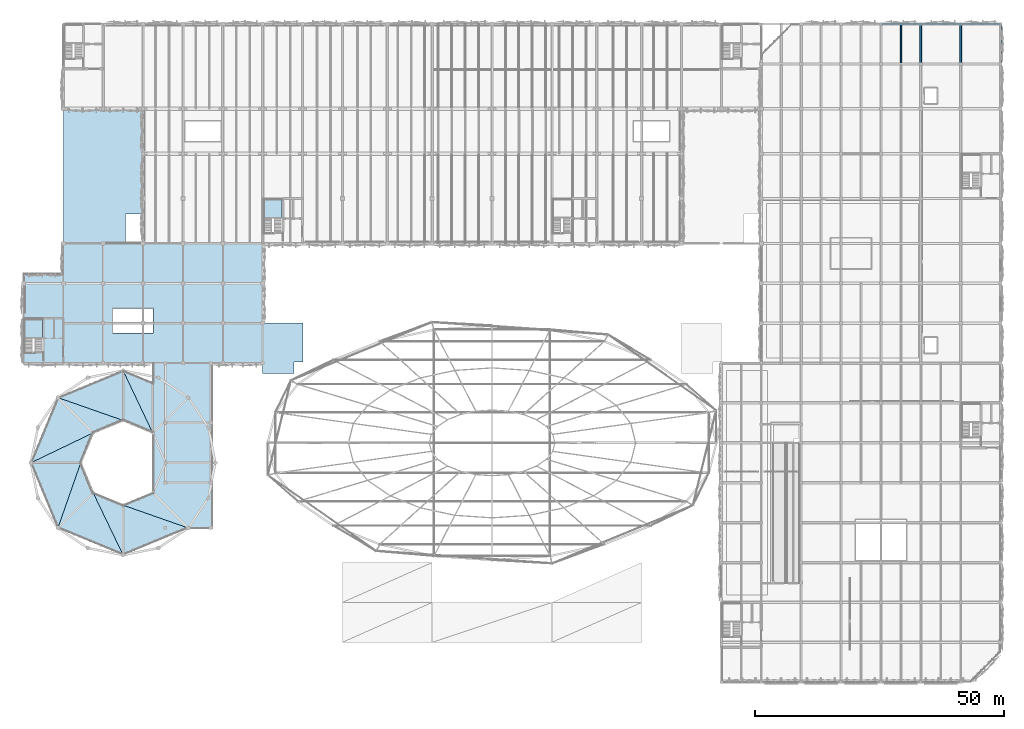
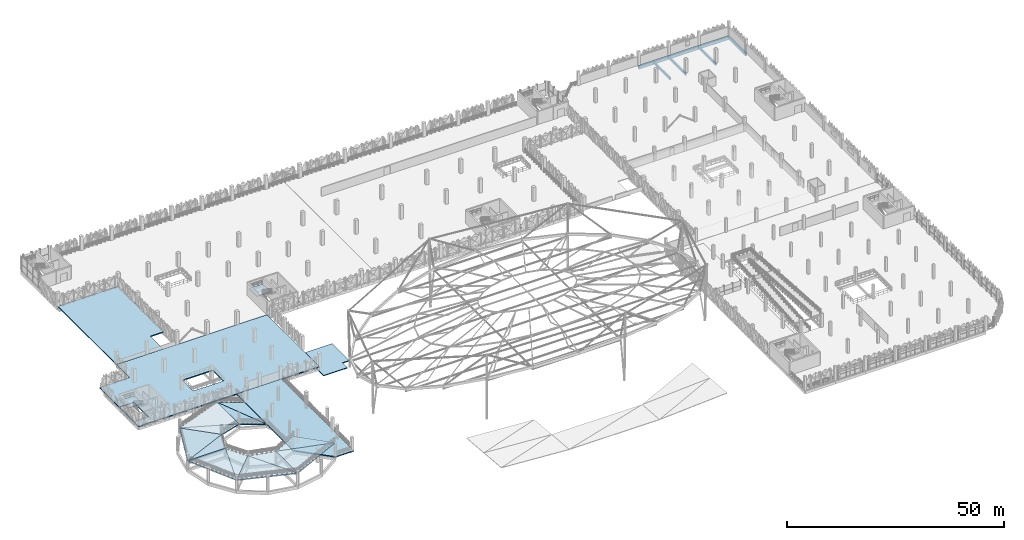
# One storey, part 36 of 96: 18 slabs, 7 beams, 2 elements without a shape of their own.
"""IFC4 building model written with IfcOpenShell, lengths in metres."""

from ifc_helpers import new_model, si_unit, derived_unit, direction, frame, origin, origin_2d, place, context, subcontext, project, spatial, polyline, rectangle, outline, extrude, material, layer, layer_set, material_profile, profile_set, type_object, element, aggregate, save


model = new_model("IFC4")

# Units and contexts
model_context = context("Model", 3, precision=1e-05, world=origin(), true_north=direction((0.0, 1.0)))
body_context = subcontext(model_context, "Body", "Model", "MODEL_VIEW")
ifc_project = project(units=[si_unit("LENGTHUNIT", "METRE"), si_unit("AREAUNIT", "SQUARE_METRE"), si_unit("VOLUMEUNIT", "CUBIC_METRE"), si_unit("PLANEANGLEUNIT", "RADIAN"), si_unit("MASSUNIT", "GRAM", prefix="KILO"), si_unit("THERMODYNAMICTEMPERATUREUNIT", "KELVIN"), derived_unit("THERMALTRANSMITTANCEUNIT", [(si_unit("POWERUNIT", "WATT"), 1), (si_unit("AREAUNIT", "SQUARE_METRE"), -1), (si_unit("THERMODYNAMICTEMPERATUREUNIT", "KELVIN"), -1)])], contexts=[model_context])

# Site, building, storey
site_placement = place(None, origin())
site = spatial("IfcSite", under=ifc_project, at=site_placement, CompositionType="ELEMENT")
building_placement = place(site_placement, origin())
building = spatial("IfcBuilding", under=site, at=building_placement, Name="Haiyu Intermodal Mobility Hub", CompositionType="ELEMENT")
storey_placement = place(building_placement, frame((0.0, 0.0, 9.5)))
storey = spatial("IfcBuildingStorey", under=building, at=storey_placement, Name="L02", CompositionType="ELEMENT", Elevation=9.5)

# Beams
ifc_material = material(Name="Concrete C40", Category="concrete")
ifc_material_profile_1 = material_profile(ifc_material, rectangle(XDim=0.449951171875, YDim=0.85009765625, at=origin_2d()), Name="RCB450x850")
ifc_profile_set_1 = profile_set([ifc_material_profile_1], Name="Concrete C40")
beam_type_1 = type_object("IfcBeamType", Name="BM-CB02-EXT", PredefinedType="BEAM", material=ifc_profile_set_1)
for number, where, z_axis, x_axis, name in (
    (1, (186.0, 148.0, -0.68505859375), (1.0, 0.0, 0.0), (0.0, 1.0, 0.0), "BM-V6G-L02-052"),
    (2, (194.0, 148.0, -0.68505859375), (1.0, 0.0, 0.0), (0.0, 1.0, 0.0), "BM-V6G-L02-053"),
    (3, (202.0, 148.0, -0.68505859375), (1.0, 0.0, 0.0), (0.0, 1.0, 0.0), "BM-V6G-L02-054"),
):
    element("IfcBeam", number, at=place(storey_placement, frame(where, z_axis=z_axis, x_axis=x_axis)), inside=storey, type_object=beam_type_1, Name=name, PredefinedType="BEAM", context=body_context, shape_type="SweptSolid", body=[
        extrude(rectangle(XDim=0.449951171875, YDim=0.85009765625, at=origin_2d()), origin(), (0.0, 0.0, 1.0), 8.0),
    ])
ifc_material_profile_2 = material_profile(ifc_material, rectangle(XDim=0.39990234375, YDim=0.800048828125, at=origin_2d()), Name="RCB400x800")
ifc_profile_set_2 = profile_set([ifc_material_profile_2], Name="Concrete C40")
beam_type_2 = type_object("IfcBeamType", Name="BM-CB05", PredefinedType="BEAM", material=ifc_profile_set_2)
beam_1_placement = place(storey_placement, frame((210.0, 140.0, -0.659912109375), z_axis=(0.0, 1.0, 0.0), x_axis=(-1.0, 0.0, 0.0)))
element("IfcBeam", 4, at=beam_1_placement, inside=storey, type_object=beam_type_2, Name="BM-V6T-L02-056", PredefinedType="BEAM", context=body_context, shape_type="SweptSolid", body=[
    extrude(rectangle(XDim=0.39990234375, YDim=0.800048828125, at=origin_2d()), origin(), (0.0, 0.0, 1.0), 8.0),
])
ifc_material_profile_3 = material_profile(ifc_material, rectangle(XDim=0.360107421875, YDim=0.6201171875, at=origin_2d()), Name="B360x620")
ifc_profile_set_3 = profile_set([ifc_material_profile_3], Name="Concrete C40")
beam_type_3 = type_object("IfcBeamType", Name="BM-CB16", PredefinedType="BEAM", material=ifc_profile_set_3)
for number, where, z_axis, x_axis, name in (
    (5, (194.0, 140.0, -0.570068359375), (0.0, 1.0, 0.0), (-1.0, 0.0, 0.0), "BM-V6T-L02-040"),
    (6, (202.0, 140.0, -0.570068359375), (0.0, 1.0, 0.0), (-1.0, 0.0, 0.0), "BM-V6T-L02-048"),
):
    element("IfcBeam", number, at=place(storey_placement, frame(where, z_axis=z_axis, x_axis=x_axis)), inside=storey, type_object=beam_type_3, Name=name, PredefinedType="BEAM", context=body_context, shape_type="SweptSolid", body=[
        extrude(rectangle(XDim=0.360107421875, YDim=0.6201171875, at=origin_2d()), origin(), (0.0, 0.0, 1.0), 8.0),
    ])
ifc_material_profile_4 = material_profile(ifc_material, rectangle(XDim=0.320068359375, YDim=0.580078125, at=origin_2d()), Name="B320x580")
ifc_profile_set_4 = profile_set([ifc_material_profile_4], Name="Concrete C40")
beam_type_4 = type_object("IfcBeamType", Name="BM-CB17", PredefinedType="JOIST", material=ifc_profile_set_4)
beam_2_placement = place(storey_placement, frame((190.0, 140.195068359375, -0.550048828125), z_axis=(0.0, 1.0, 0.0), x_axis=(-1.0, 0.0, 0.0)))
element("IfcBeam", 7, at=beam_2_placement, inside=storey, type_object=beam_type_4, Name="BM-V6J-L02-030", PredefinedType="JOIST", context=body_context, shape_type="SweptSolid", body=[
    extrude(rectangle(XDim=0.320068359375, YDim=0.580078125, at=origin_2d()), origin(), (0.0, 0.0, 1.0), 7.804931640625),
])

# Slabs
ifc_layer_1 = layer(ifc_material, 0.219970703125)
ifc_layer_set_1 = layer_set([ifc_layer_1], Name="Concrete C40")
slab_type_1 = type_object("IfcSlabType", Name="SLB-SL04", PredefinedType="FLOOR", material=ifc_layer_set_1)
slab_1_placement = place(storey_placement, frame((0.0, 0.0, -0.264892578125)))
element("IfcSlab", 8, at=slab_1_placement, inside=storey, type_object=slab_type_1, Name="L02 West Mobility Connector Deck", PredefinedType="FLOOR", context=body_context, shape_type="SweptSolid", body=[
    extrude(outline(polyline([(14.0, 80.0), (61.9599609375, 80.0), (61.9599609375, 103.97998046875), (22.0, 103.97998046875), (22.0, 98.0), (14.0, 98.0), (14.0, 80.0)]), holes=[polyline([(14.219970703125, 82.14990234375), (17.85009765625, 82.14990234375), (17.85009765625, 88.949951171875), (14.219970703125, 88.949951171875), (14.219970703125, 82.14990234375)]), polyline([(32.0, 86.0), (40.0, 86.0), (40.0, 91.0), (32.0, 91.0), (32.0, 86.0)])]), origin(), (0.0, 0.0, 1.0), 0.264892578125),
])
ifc_layer_2 = layer(ifc_material, 0.179931640625)
ifc_layer_set_2 = layer_set([ifc_layer_2], Name="Concrete C40")
slab_type_2 = type_object("IfcSlabType", Name="SLB-SL12", PredefinedType="ROOF", material=ifc_layer_set_2)
slab_2_placement = place(storey_placement, frame((0.0, 0.0, -0.2548828125)))
element("IfcSlab", 9, at=slab_2_placement, inside=storey, type_object=slab_type_2, Name="SLB-L02-V4SW-RF", PredefinedType="ROOF", context=body_context, shape_type="SweptSolid", body=[
    extrude(outline(polyline([(22.0, 104.0), (34.448974609375, 104.0), (34.448974609375, 109.930908203125), (37.9599609375, 109.930908203125), (37.9599609375, 130.9599609375), (22.0, 130.9599609375), (22.0, 104.0)])), origin(), (0.0, 0.0, 1.0), 0.2548828125),
])
slab_3_placement = place(storey_placement, frame((0.0, 0.0, -1.5)))
element("IfcSlab", 10, at=slab_3_placement, inside=storey, type_object=slab_type_2, Name="Core C1 Skylight Headhouse Cap", PredefinedType="ROOF", context=body_context, shape_type="SweptSolid", body=[
    extrude(outline(polyline([(61.949951171875, 77.949951171875), (68.26806640625, 77.949951171875), (68.26806640625, 80.172119140625), (70.050048828125, 80.172119140625), (70.050048828125, 88.050048828125), (61.949951171875, 88.050048828125), (61.949951171875, 77.949951171875)])), origin(), (0.0, 0.0, 1.0), 0.219970703125),
])

# Stair, slab
stair_type_1 = type_object("IfcStairType", Name="STR-ST02", PredefinedType="HALF_TURN_STAIR", material=ifc_material)
stair_1_placement = place(storey_placement, origin())
stair_1 = element("IfcStair", 11, at=stair_1_placement, inside=storey, type_object=stair_type_1, Name="Exit Stair ST01 L02", PredefinedType="HALF_TURN_STAIR")
ifc_layer_3 = layer(ifc_material, 0.2099609375)
ifc_layer_set_3 = layer_set([ifc_layer_3], Name="Concrete C40")
slab_type_3 = type_object("IfcSlabType", Name="SLB-SL13", PredefinedType="LANDING", material=ifc_layer_set_3)
slab_4_placement = place(storey_placement, frame((0.0, 0.0, 1.739990234375)))
slab_4 = element("IfcSlab", 12, at=slab_4_placement, type_object=slab_type_3, Name="Stair Half-Landing STR-C5-L02-LND", PredefinedType="LANDING", context=body_context, shape_type="SweptSolid", body=[
    extrude(outline(polyline([(62.219970703125, 109.1298828125), (65.8701171875, 109.1298828125), (65.8701171875, 112.780029296875), (62.219970703125, 112.780029296875), (62.219970703125, 109.1298828125)])), origin(), (0.0, 0.0, 1.0), 0.2099609375),
])
aggregate(stair_1, [slab_4])

stair_type_2 = type_object("IfcStairType", Name="STR-ST03", PredefinedType="HALF_TURN_STAIR", material=ifc_material)
stair_2_placement = place(storey_placement, origin())
stair_2 = element("IfcStair", 13, at=stair_2_placement, inside=storey, type_object=stair_type_2, Name="Exit Stair ST02 L02", PredefinedType="HALF_TURN_STAIR")
slab_5_placement = place(storey_placement, frame((0.0, 0.0, 1.739990234375)))
slab_5 = element("IfcSlab", 14, at=slab_5_placement, type_object=slab_type_3, Name="Stair Half-Landing STR-C7-L02-LND", PredefinedType="LANDING", context=body_context, shape_type="SweptSolid", body=[
    extrude(outline(polyline([(14.219970703125, 85.1298828125), (17.8701171875, 85.1298828125), (17.8701171875, 88.780029296875), (14.219970703125, 88.780029296875), (14.219970703125, 85.1298828125)])), origin(), (0.0, 0.0, 1.0), 0.2099609375),
])
aggregate(stair_2, [slab_5])

# Slabs
ifc_layer_4 = layer(ifc_material, 0.27001953125)
ifc_layer_set_4 = layer_set([ifc_layer_4], Name="Concrete C40")
slab_type_4 = type_object("IfcSlabType", Name="SLB-SL14", PredefinedType="USERDEFINED", material=ifc_layer_set_4)
slab_6_placement = place(storey_placement, frame((0.0, 0.0, -0.27001953125)))
element("IfcSlab", 15, at=slab_6_placement, inside=storey, type_object=slab_type_4, Name="L02 Helical Ramp Arrival Deck", ObjectType="RAMP DECK", PredefinedType="USERDEFINED", context=body_context, shape_type="SweptSolid", body=[
    extrude(outline(polyline([(39.949951171875, 53.85009765625), (47.14990234375, 46.800048828125), (52.0, 46.800048828125), (52.0, 80.0), (40.0, 80.0), (39.949951171875, 53.85009765625)])), origin(), (0.0, 0.0, 1.0), 0.27001953125),
])
ifc_layer_5 = layer(ifc_material, 0.280029296875)
ifc_layer_set_5 = layer_set([ifc_layer_5], Name="Concrete C40")
slab_type_5 = type_object("IfcSlabType", Name="SLB-SL16", PredefinedType="USERDEFINED", material=ifc_layer_set_5)
slab_7_placement = place(storey_placement, frame((39.89990234375, 66.055908203125, 0.0), z_axis=(0.109492471153, 0.0, 0.993987625054), x_axis=(0.0, 1.0, 0.0)))
element("IfcSlab", 16, at=slab_7_placement, inside=storey, type_object=slab_type_5, Name="Structural Vehicle Ramp Slab L02-01-1", ObjectType="RAMP DECK", PredefinedType="USERDEFINED", context=body_context, shape_type="SweptSolid", body=[
    extrude(outline(polyline([(0.0, 0.0), (10.0, 0.0), (12.444091796875, 5.935589332340849), (0.0, 0.0)])), origin(), (0.0, 0.0, -1.0), 0.280029296875),
])
slab_8_placement = place(storey_placement, frame((39.89990234375, 66.055908203125, 0.0), z_axis=(0.109492471153, 0.0, 0.993987625054), x_axis=(-0.427926345205, 0.902583536434, 0.04713812509)))
element("IfcSlab", 17, at=slab_8_placement, inside=storey, type_object=slab_type_5, Name="Structural Vehicle Ramp Slab L02-01-2", ObjectType="RAMP DECK", PredefinedType="USERDEFINED", context=body_context, shape_type="SweptSolid", body=[
    extrude(outline(polyline([(0.0, 0.0), (13.7871912067415, -2.636779683484747e-16), (4.761355842399681, 4.30514761370578), (0.0, 0.0)])), origin(), (0.0, 0.0, -1.0), 0.280029296875),
])
slab_9_placement = place(storey_placement, frame((34.0, 68.5, 0.64990234375), z_axis=(0.049640107755, 0.0, 0.998767169916), x_axis=(0.0, 1.0, 0.0)))
element("IfcSlab", 18, at=slab_9_placement, inside=storey, type_object=slab_type_5, Name="Structural Vehicle Ramp Slab L02-02-1", ObjectType="RAMP DECK", PredefinedType="USERDEFINED", context=body_context, shape_type="SweptSolid", body=[
    extrude(outline(polyline([(0.0, 0.0), (10.0, 0.0), (4.5810546875, 13.097201311292077), (0.0, 0.0)])), origin(), (0.0, 0.0, -1.0), 0.280029296875),
])
slab_10_placement = place(storey_placement, frame((34.0, 68.5, 0.64990234375), z_axis=(0.076044227368, 0.076044227368, 0.994200458141), x_axis=(-0.942761284695, 0.330159998993, 0.046856537909)))
element("IfcSlab", 19, at=slab_10_placement, inside=storey, type_object=slab_type_5, Name="Structural Vehicle Ramp Slab L02-02-2", ObjectType="RAMP DECK", PredefinedType="USERDEFINED", context=body_context, shape_type="SweptSolid", body=[
    extrude(outline(polyline([(0.0, 0.0), (13.875256546758933, -1.249000902703301e-16), (4.874372967790654, 4.356999813198027), (0.0, 0.0)])), origin(), (0.0, 0.0, -1.0), 0.280029296875),
])
slab_11_placement = place(storey_placement, frame((27.989990234375, 66.010009765625, 1.300048828125), z_axis=(0.035086582514, 0.035086582514, 0.998768173029), x_axis=(-0.707106781187, 0.707106781187, 0.0)))
element("IfcSlab", 20, at=slab_11_placement, inside=storey, type_object=slab_type_5, Name="Structural Vehicle Ramp Slab L02-03-1", ObjectType="RAMP DECK", PredefinedType="USERDEFINED", context=body_context, shape_type="SweptSolid", body=[
    extrude(outline(polyline([(0.0, 0.0), (9.999967628665027, 0.0), (4.582038131409509, 13.097609440520504), (0.0, 0.0)])), origin(), (0.0, 0.0, -1.0), 0.280029296875),
])
slab_12_placement = place(storey_placement, frame((27.989990234375, 66.010009765625, 1.300048828125), z_axis=(0.0, 0.107509895057, 0.994204014508), x_axis=(-0.900116775893, -0.433123686392, 0.046836546012)))
element("IfcSlab", 21, at=slab_12_placement, inside=storey, type_object=slab_type_5, Name="Structural Vehicle Ramp Slab L02-03-2", ObjectType="RAMP DECK", PredefinedType="USERDEFINED", context=body_context, shape_type="SweptSolid", body=[
    extrude(outline(polyline([(0.0, 0.0), (13.87596650666549, 7.077671781985373e-16), (4.874798747738369, 4.356486999366682), (0.0, 0.0)])), origin(), (0.0, 0.0, -1.0), 0.280029296875),
])
slab_13_placement = place(storey_placement, frame((25.5, 60.0, 1.949951171875), z_axis=(0.0, 0.049640107755, 0.998767169916), x_axis=(-1.0, 0.0, 0.0)))
element("IfcSlab", 22, at=slab_13_placement, inside=storey, type_object=slab_type_5, Name="Structural Vehicle Ramp Slab L02-04-1", ObjectType="RAMP DECK", PredefinedType="USERDEFINED", context=body_context, shape_type="SweptSolid", body=[
    extrude(outline(polyline([(0.0, 0.0), (10.0, 0.0), (4.5810546875, 13.097201311292077), (0.0, 0.0)])), origin(), (0.0, 0.0, -1.0), 0.280029296875),
])
slab_14_placement = place(storey_placement, frame((25.5, 60.0, 1.949951171875), z_axis=(-0.076044227368, 0.076044227368, 0.994200458141), x_axis=(-0.330159998993, -0.942761284695, 0.046856537909)))
element("IfcSlab", 23, at=slab_14_placement, inside=storey, type_object=slab_type_5, Name="Structural Vehicle Ramp Slab L02-04-2", ObjectType="RAMP DECK", PredefinedType="USERDEFINED", context=body_context, shape_type="SweptSolid", body=[
    extrude(outline(polyline([(0.0, 0.0), (13.875256546758933, -1.249000902703301e-16), (4.874372967790654, 4.356999813198027), (0.0, 0.0)])), origin(), (0.0, 0.0, -1.0), 0.280029296875),
])
slab_15_placement = place(storey_placement, frame((27.989990234375, 53.989990234375, 2.60009765625), z_axis=(-0.035086582514, 0.035086582514, 0.998768173029), x_axis=(-0.707106781187, -0.707106781187, 0.0)))
element("IfcSlab", 24, at=slab_15_placement, inside=storey, type_object=slab_type_5, Name="Structural Vehicle Ramp Slab L02-05-1", ObjectType="RAMP DECK", PredefinedType="USERDEFINED", context=body_context, shape_type="SweptSolid", body=[
    extrude(outline(polyline([(0.0, 0.0), (9.999967628665027, 0.0), (4.582038131409509, 13.097609440520504), (0.0, 0.0)])), origin(), (0.0, 0.0, -1.0), 0.280029296875),
])
slab_16_placement = place(storey_placement, frame((27.989990234375, 53.989990234375, 2.60009765625), z_axis=(-0.107509895057, 0.0, 0.994204014508), x_axis=(0.433123686392, -0.900116775893, 0.046836546012)))
element("IfcSlab", 25, at=slab_16_placement, inside=storey, type_object=slab_type_5, Name="Structural Vehicle Ramp Slab L02-05-2", ObjectType="RAMP DECK", PredefinedType="USERDEFINED", context=body_context, shape_type="SweptSolid", body=[
    extrude(outline(polyline([(0.0, 0.0), (13.87596650666549, 7.077671781985373e-16), (4.874798747738369, 4.356486999366682), (0.0, 0.0)])), origin(), (0.0, 0.0, -1.0), 0.280029296875),
])
slab_17_placement = place(storey_placement, frame((34.0, 51.5, 3.25), z_axis=(-0.049621512991, 0.0, 0.998768093928), x_axis=(0.0, -1.0, 0.0)))
element("IfcSlab", 26, at=slab_17_placement, inside=storey, type_object=slab_type_5, Name="Structural Vehicle Ramp Slab L02-06-1", ObjectType="RAMP DECK", PredefinedType="USERDEFINED", context=body_context, shape_type="SweptSolid", body=[
    extrude(outline(polyline([(0.0, 0.0), (10.0, 0.0), (4.5810546875, 13.097189194395012), (0.0, 0.0)])), origin(), (0.0, 0.0, -1.0), 0.280029296875),
])
slab_18_placement = place(storey_placement, frame((34.0, 51.5, 3.25), z_axis=(-0.076016001595, -0.076016001595, 0.994204775186), x_axis=(0.942762061819, -0.330160271145, 0.046838981123)))
element("IfcSlab", 27, at=slab_18_placement, inside=storey, type_object=slab_type_5, Name="Structural Vehicle Ramp Slab L02-06-2", ObjectType="RAMP DECK", PredefinedType="USERDEFINED", context=body_context, shape_type="SweptSolid", body=[
    extrude(outline(polyline([(0.0, 0.0), (13.875245109317643, 2.0816681711721685e-16), (4.874354110871246, 4.356984485677573), (0.0, 0.0)])), origin(), (0.0, 0.0, -1.0), 0.280029296875),
])

save(model, "model.ifc")
